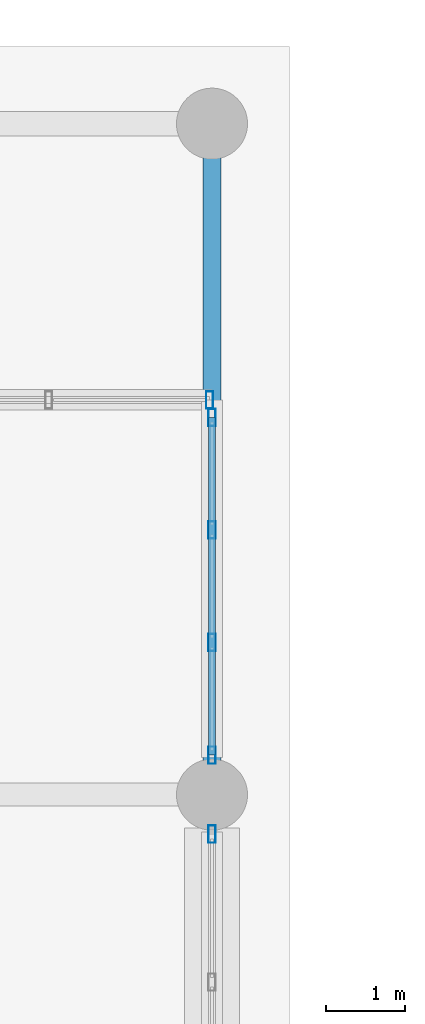
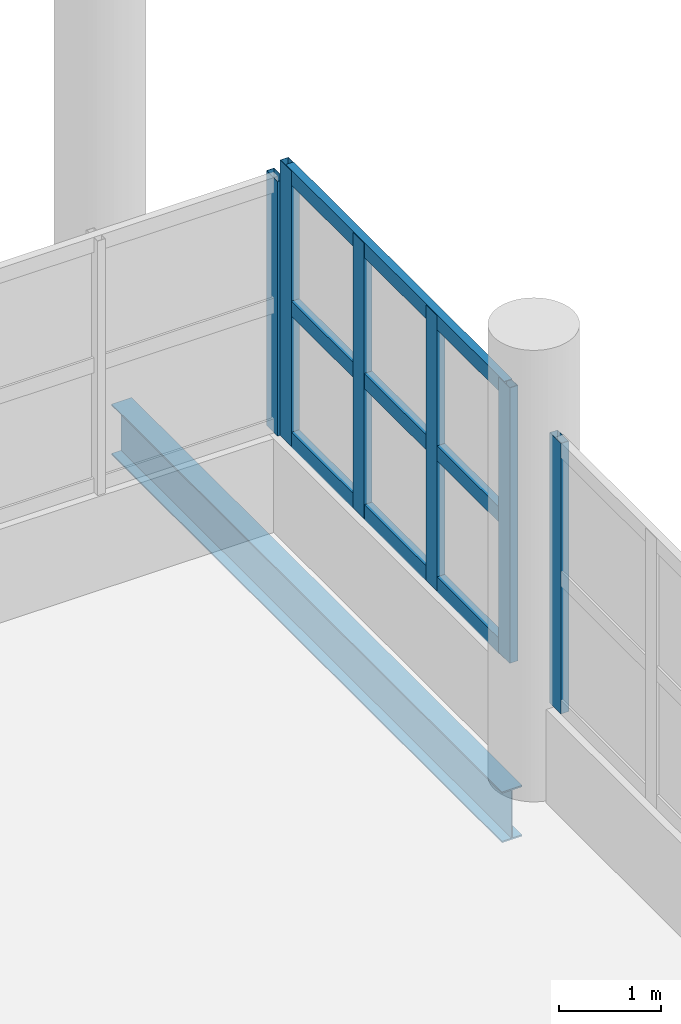
# One storey, part 59 of 107: 9 members, 1 beam, 3 elements without a shape of their own.
"""IFC4 building model written with IfcOpenShell, lengths in metres."""

from ifc_helpers import new_model, si_unit, direction, frame, origin, origin_2d, place, context, subcontext, project, spatial, hollow_rectangle, i_section, extrude, material, material_profile, profile_set, type_object, element, aggregate, save


model = new_model("IFC4")

# Units and contexts
model_context = context("Model", 3, precision=1e-05, world=origin(), true_north=direction((0.0, 1.0)))
body_context = subcontext(model_context, "Body", "Model", "MODEL_VIEW")
ifc_project = project(units=[si_unit("LENGTHUNIT", "METRE"), si_unit("AREAUNIT", "SQUARE_METRE"), si_unit("VOLUMEUNIT", "CUBIC_METRE"), si_unit("PLANEANGLEUNIT", "RADIAN"), si_unit("MASSUNIT", "GRAM", prefix="KILO")], contexts=[model_context])

# Site, building, storey
site_placement = place(None, origin())
site = spatial("IfcSite", under=ifc_project, at=site_placement, CompositionType="ELEMENT")
building_placement = place(site_placement, origin())
building = spatial("IfcBuilding", under=site, at=building_placement, Name="Solvento Point Concert Hall", CompositionType="ELEMENT")
storey_placement = place(building_placement, origin())
storey = spatial("IfcBuildingStorey", under=building, at=storey_placement, Name="L00", CompositionType="ELEMENT", Elevation=0.0)

# Beam
ifc_material_1 = material(Name="Structural Steel ASTM A992 Grade 50", Category="steel")
ifc_material_profile_1 = material_profile(ifc_material_1, i_section(OverallWidth=0.228515625, OverallDepth=0.60791015625, WebThickness=0.01123046875, FlangeThickness=0.017333984375, at=origin_2d()), Name="W24X76")
ifc_profile_set_1 = profile_set([ifc_material_profile_1], Name="Structural Steel ASTM A992 Grade 50")
beam_type = type_object("IfcBeamType", Name="Beam_W24X76", PredefinedType="BEAM", material=ifc_profile_set_1)
beam_placement = place(storey_placement, frame((208.800048828125, 17.424072265625, -0.718017578125), z_axis=(0.0, 1.0, 0.0), x_axis=(-1.0, 0.0, 0.0)))
element("IfcBeam", 1, at=beam_placement, inside=storey, type_object=beam_type, Name="Primary girder B-42 L00", PredefinedType="BEAM", context=body_context, shape_type="SweptSolid", body=[
    extrude(i_section(OverallWidth=0.228515625, OverallDepth=0.60791015625, WebThickness=0.01123046875, FlangeThickness=0.017333984375, at=origin_2d()), origin(), (0.0, 0.0, 1.0), 7.65185546875),
])

# Curtain wall, member
ifc_material_2 = material(Name="Anodized Bronze Aluminium", Category="aluminium")
curtain_wall_type = type_object("IfcCurtainWallType", Name="CurtainWall_CafeVeranda", PredefinedType="USERDEFINED", material=ifc_material_2)
curtain_wall_1_placement = place(storey_placement, origin())
curtain_wall_1 = element("IfcCurtainWall", 2, at=curtain_wall_1_placement, inside=storey, type_object=curtain_wall_type, Name="Unitised curtain wall CW-42 UCW-L00-045", ObjectType="UNITISED CURTAIN WALL", PredefinedType="USERDEFINED")
ifc_material_3 = material(Name="Anodized Bronze Aluminium", Category="aluminium")
ifc_material_profile_2 = material_profile(ifc_material_3, hollow_rectangle(XDim=0.090087890625, YDim=0.219970703125, WallThickness=0.00439453125, at=origin_2d()), Name="CW-MUL-90X220")
ifc_profile_set_2 = profile_set([ifc_material_profile_2], Name="Anodized Bronze Aluminium")
member_type_1 = type_object("IfcMemberType", Name="Mullion_90x220", PredefinedType="MULLION", material=ifc_profile_set_2)
member_1_placement = place(storey_placement, frame((208.77001953125, 22.0, 1.1201171875), z_axis=(0.0, 0.0, 1.0), x_axis=(1.0, 0.0, 0.0)))
member_1 = element("IfcMember", 3, at=member_1_placement, type_object=member_type_1, Name="Curtain wall mullion ML-02", PredefinedType="MULLION", context=body_context, shape_type="SweptSolid", body=[
    extrude(hollow_rectangle(XDim=0.090087890625, YDim=0.219970703125, WallThickness=0.00439453125, at=origin_2d()), origin(), (0.0, 0.0, 1.0), 3.0439453125),
])
aggregate(curtain_wall_1, [member_1])

curtain_wall_2_placement = place(storey_placement, origin())
curtain_wall_2 = element("IfcCurtainWall", 4, at=curtain_wall_2_placement, inside=storey, type_object=curtain_wall_type, Name="Unitised curtain wall CW-42 UCW-L00-047", ObjectType="UNITISED CURTAIN WALL", PredefinedType="USERDEFINED")
member_2_placement = place(storey_placement, frame((208.800048828125, 16.5, 1.1201171875), z_axis=(0.0, 0.0, 1.0), x_axis=(1.0, 0.0, 0.0)))
member_2 = element("IfcMember", 5, at=member_2_placement, type_object=member_type_1, Name="Curtain wall mullion ML-02", PredefinedType="MULLION", context=body_context, shape_type="SweptSolid", body=[
    extrude(hollow_rectangle(XDim=0.090087890625, YDim=0.219970703125, WallThickness=0.00439453125, at=origin_2d()), origin(), (0.0, 0.0, 1.0), 3.23583984375),
])
aggregate(curtain_wall_2, [member_2])

# Curtain wall, members
curtain_wall_3_placement = place(storey_placement, origin())
curtain_wall_3 = element("IfcCurtainWall", 6, at=curtain_wall_3_placement, inside=storey, type_object=curtain_wall_type, Name="Unitised curtain wall CW-42 UCW-L00-048", ObjectType="UNITISED CURTAIN WALL", PredefinedType="USERDEFINED")
member_3_placement = place(storey_placement, frame((208.800048828125, 17.5, 1.1201171875), z_axis=(0.0, 0.0, 1.0), x_axis=(1.0, 0.0, 0.0)))
member_3 = element("IfcMember", 7, at=member_3_placement, type_object=member_type_1, Name="Curtain wall mullion ML-02", PredefinedType="MULLION", context=body_context, shape_type="SweptSolid", body=[
    extrude(hollow_rectangle(XDim=0.090087890625, YDim=0.219970703125, WallThickness=0.00439453125, at=origin_2d()), origin(), (0.0, 0.0, 1.0), 3.294921875),
])
member_4_placement = place(storey_placement, frame((208.800048828125, 18.9267578125, 1.1201171875), z_axis=(0.0, 0.0, 1.0), x_axis=(1.0, 0.0, 0.0)))
member_4 = element("IfcMember", 8, at=member_4_placement, type_object=member_type_1, Name="Curtain wall mullion ML-02", PredefinedType="MULLION", context=body_context, shape_type="SweptSolid", body=[
    extrude(hollow_rectangle(XDim=0.090087890625, YDim=0.219970703125, WallThickness=0.00439453125, at=origin_2d()), origin(), (0.0, 0.0, 1.0), 3.294921875),
])
member_5_placement = place(storey_placement, frame((208.800048828125, 20.353271484375, 1.1201171875), z_axis=(0.0, 0.0, 1.0), x_axis=(1.0, 0.0, 0.0)))
member_5 = element("IfcMember", 9, at=member_5_placement, type_object=member_type_1, Name="Curtain wall mullion ML-02", PredefinedType="MULLION", context=body_context, shape_type="SweptSolid", body=[
    extrude(hollow_rectangle(XDim=0.090087890625, YDim=0.219970703125, WallThickness=0.00439453125, at=origin_2d()), origin(), (0.0, 0.0, 1.0), 3.294921875),
])
member_6_placement = place(storey_placement, frame((208.800048828125, 21.780029296875, 1.1201171875), z_axis=(0.0, 0.0, 1.0), x_axis=(1.0, 0.0, 0.0)))
member_6 = element("IfcMember", 10, at=member_6_placement, type_object=member_type_1, Name="Curtain wall mullion ML-02", PredefinedType="MULLION", context=body_context, shape_type="SweptSolid", body=[
    extrude(hollow_rectangle(XDim=0.090087890625, YDim=0.219970703125, WallThickness=0.00439453125, at=origin_2d()), origin(), (0.0, 0.0, 1.0), 3.294921875),
])
ifc_material_4 = material(Name="Anodized Bronze Aluminium", Category="aluminium")
ifc_material_profile_3 = material_profile(ifc_material_4, hollow_rectangle(XDim=0.090087890625, YDim=0.179931640625, WallThickness=0.00439453125, at=origin_2d()), Name="CW-TRN-90X180")
ifc_profile_set_3 = profile_set([ifc_material_profile_3], Name="Anodized Bronze Aluminium")
member_type_2 = type_object("IfcMemberType", Name="Transom_90x180", PredefinedType="USERDEFINED", material=ifc_profile_set_3)
member_7_placement = place(storey_placement, frame((208.800048828125, 17.5, 1.199951171875), z_axis=(0.0, 1.0, 0.0), x_axis=(-1.0, 0.0, 0.0)))
member_7 = element("IfcMember", 11, at=member_7_placement, type_object=member_type_2, Name="Curtain wall transom TR-02", ObjectType="TRANSOM", PredefinedType="USERDEFINED", context=body_context, shape_type="SweptSolid", body=[
    extrude(hollow_rectangle(XDim=0.090087890625, YDim=0.179931640625, WallThickness=0.00439453125, at=origin_2d()), origin(), (0.0, 0.0, 1.0), 4.280029296875),
])
member_8_placement = place(storey_placement, frame((208.800048828125, 17.5, 2.767578125), z_axis=(0.0, 1.0, 0.0), x_axis=(-1.0, 0.0, 0.0)))
member_8 = element("IfcMember", 12, at=member_8_placement, type_object=member_type_2, Name="Curtain wall transom TR-02", ObjectType="TRANSOM", PredefinedType="USERDEFINED", context=body_context, shape_type="SweptSolid", body=[
    extrude(hollow_rectangle(XDim=0.090087890625, YDim=0.179931640625, WallThickness=0.00439453125, at=origin_2d()), origin(), (0.0, 0.0, 1.0), 4.280029296875),
])
member_9_placement = place(storey_placement, frame((208.800048828125, 17.5, 4.3349609375), z_axis=(0.0, 1.0, 0.0), x_axis=(-1.0, 0.0, 0.0)))
member_9 = element("IfcMember", 13, at=member_9_placement, type_object=member_type_2, Name="Curtain wall transom TR-02", ObjectType="TRANSOM", PredefinedType="USERDEFINED", context=body_context, shape_type="SweptSolid", body=[
    extrude(hollow_rectangle(XDim=0.090087890625, YDim=0.179931640625, WallThickness=0.00439453125, at=origin_2d()), origin(), (0.0, 0.0, 1.0), 4.280029296875),
])
aggregate(curtain_wall_3, [member_3, member_4, member_5, member_6, member_7, member_8, member_9])

save(model, "model.ifc")
